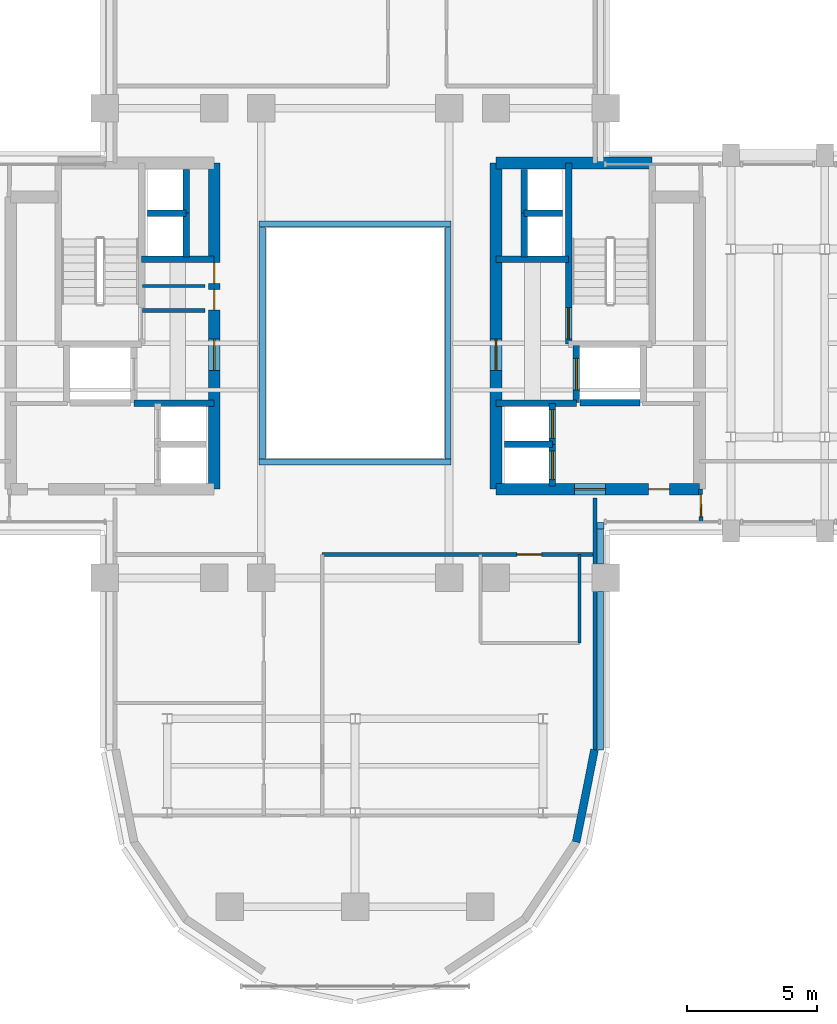
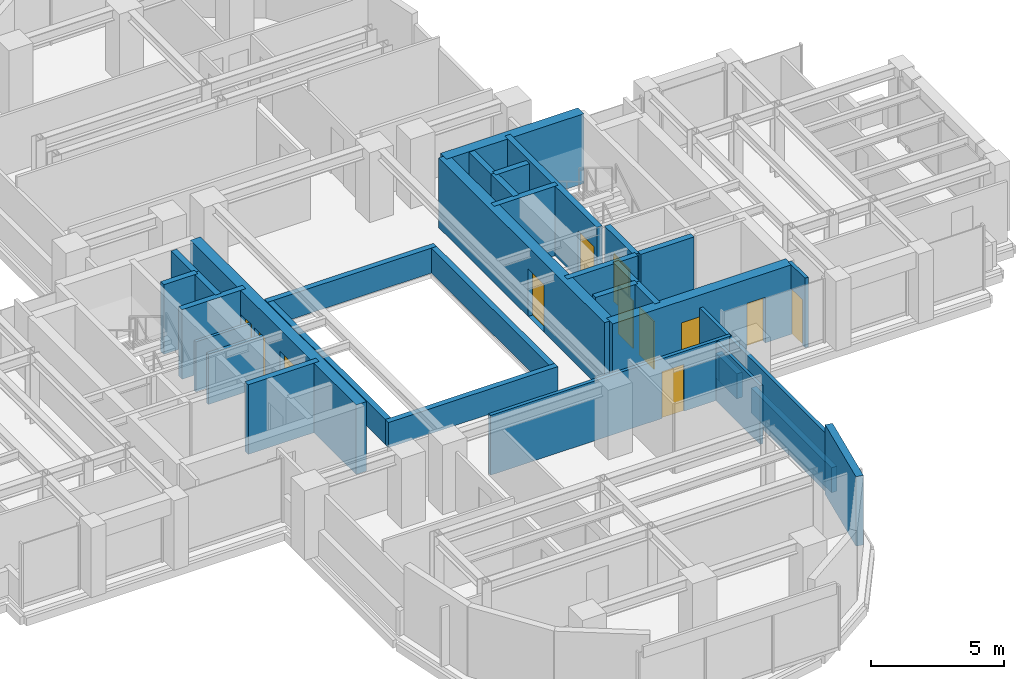
# One storey, part 9 of 14: 34 walls, 12 doors, 12 openings.
"""IFC4 building model written with IfcOpenShell, lengths in metres."""

from ifc_helpers import new_model, si_unit, direction, frame, frame_2d, origin, place, context, subcontext, project, spatial, rectangle, extrude, source, transform, mapped, material, layer, layer_set, type_object, element, fill, save


model = new_model("IFC4")

# Units and contexts
model_context = context("Model", 3, precision=1e-05, world=origin(), true_north=direction((0.0, 1.0)))
body_context = subcontext(model_context, "Body", "Model", "MODEL_VIEW")
ifc_project = project(units=[si_unit("LENGTHUNIT", "METRE"), si_unit("AREAUNIT", "SQUARE_METRE"), si_unit("VOLUMEUNIT", "CUBIC_METRE"), si_unit("PLANEANGLEUNIT", "RADIAN"), si_unit("MASSUNIT", "GRAM", prefix="KILO")], contexts=[model_context])

# Site, building, storey
site_placement = place(None, origin())
site = spatial("IfcSite", under=ifc_project, at=site_placement, CompositionType="ELEMENT")
building_placement = place(site_placement, origin())
building = spatial("IfcBuilding", under=site, at=building_placement, Name="Keilestroom Media Tower", CompositionType="ELEMENT")
storey_placement = place(building_placement, frame((0.0, 0.0, 114.199951171875)))
storey = spatial("IfcBuildingStorey", under=building, at=storey_placement, Name="L30", CompositionType="ELEMENT", Elevation=114.199951171875)

# Walls
ifc_material_1 = material(Name="Precast concrete C40/50", Category="concrete")
ifc_layer_1 = layer(ifc_material_1, 0.300048828125)
ifc_layer_set_1 = layer_set([ifc_layer_1], Name="Precast concrete C40/50")
wall_type_1 = type_object("IfcWallType", Name="Exterior-Masonry-Spandrel-Wall-300", PredefinedType="SOLIDWALL", material=ifc_layer_set_1)
wall_1_placement = place(storey_placement, frame((8.470703125, -19.12451171875, 0.0), z_axis=(0.0, 0.0, 1.0), x_axis=(0.195114232679, 0.980780523974, 0.0)))
element("IfcWall", 1, at=wall_1_placement, inside=storey, type_object=wall_type_1, Name="L30 Lobe Facet Precast Frame Wall 12", PredefinedType="SOLIDWALL", context=body_context, shape_type="SweptSolid", body=[
    extrude(rectangle(XDim=3.608642578125, YDim=0.300048828125, at=frame_2d((1.80419921875, 0.0))), origin(), (0.0, 0.0, 1.0), 3.199951171875),
])
ifc_material_2 = material(Name="Gypsum Plasterboard & Steel Stud", Category="steel")
ifc_layer_2 = layer(ifc_material_2, 0.1201171875)
ifc_layer_set_2 = layer_set([ifc_layer_2], Name="Gypsum Plasterboard & Steel Stud")
wall_type_2 = type_object("IfcWallType", Name="Interior-Partition-Wall-120", PredefinedType="PARTITIONING", material=ifc_layer_set_2)
wall_2_placement = place(storey_placement, frame((-8.139892578125, 2.179931640625, 0.0), z_axis=(0.0, 0.0, 1.0), x_axis=(1.0, 0.0, 0.0)))
element("IfcWall", 2, at=wall_2_placement, inside=storey, type_object=wall_type_2, Name="L30 Interior Wall WP-L30-CNW-N", PredefinedType="PARTITIONING", context=body_context, shape_type="SweptSolid", body=[
    extrude(rectangle(XDim=2.389892578125, YDim=0.1201171875, at=frame_2d((1.19482421875, 0.0))), origin(), (0.0, 0.0, 1.0), 2.300048828125),
])
wall_3_placement = place(storey_placement, frame((8.60009765625, -11.5, 0.0), z_axis=(0.0, 0.0, 1.0), x_axis=(0.0, 1.0, 0.0)))
element("IfcWall", 3, at=wall_3_placement, inside=storey, type_object=wall_type_2, Name="L30 Interior Wall WP-L30-SL-WC-E", PredefinedType="PARTITIONING", context=body_context, shape_type="SweptSolid", body=[
    extrude(rectangle(XDim=3.39990234375, YDim=0.1201171875, at=frame_2d((1.699951171875, 0.0))), origin(), (0.0, 0.0, 1.0), 2.699951171875),
])
ifc_layer_3 = layer(ifc_material_2, 0.14990234375)
ifc_layer_set_3 = layer_set([ifc_layer_3], Name="Gypsum Plasterboard & Steel Stud")
wall_type_3 = type_object("IfcWallType", Name="Interior-Partition-Wall-150", PredefinedType="PARTITIONING", material=ifc_layer_set_3)
wall_4_placement = place(storey_placement, frame((-8.139892578125, 1.239990234375, 0.0), z_axis=(0.0, 0.0, 1.0), x_axis=(1.0, 0.0, 0.0)))
element("IfcWall", 4, at=wall_4_placement, inside=storey, type_object=wall_type_3, Name="L30 Interior Wall WP-L30-FFW-TOP", PredefinedType="PARTITIONING", context=body_context, shape_type="SweptSolid", body=[
    extrude(rectangle(XDim=2.389892578125, YDim=0.14990234375, at=frame_2d((1.19482421875, 0.0))), origin(), (0.0, 0.0, 1.0), 2.300048828125),
])
wall_5_placement = place(storey_placement, frame((9.199951171875, -15.679931640625, 0.0), z_axis=(0.0, 0.0, 1.0), x_axis=(0.0, 1.0, 0.0)))
element("IfcWall", 5, at=wall_5_placement, inside=storey, type_object=wall_type_3, Name="L30 Interior Wall WP-L30-SL-CHKE", PredefinedType="PARTITIONING", context=body_context, shape_type="SweptSolid", body=[
    extrude(rectangle(XDim=9.739990234375, YDim=0.14990234375, at=frame_2d((4.8701171875, 0.0))), origin(), (0.0, 0.0, 1.0), 2.699951171875),
])

# Wall, opening, door
wall_6_placement = place(storey_placement, frame((-1.260009765625, -8.10009765625, 0.0), z_axis=(0.0, 0.0, 1.0), x_axis=(1.0, 0.0, 0.0)))
wall_6 = element("IfcWall", 6, at=wall_6_placement, inside=storey, type_object=wall_type_3, Name="L30 Interior Wall WP-L30-SL-BASE-E", PredefinedType="PARTITIONING", context=body_context, shape_type="SweptSolid", body=[
    extrude(rectangle(XDim=10.4599609375, YDim=0.14990234375, at=frame_2d((5.22998046875, 0.0))), origin(), (0.0, 0.0, 1.0), 2.75),
])
opening_1_placement = place(wall_6_placement, frame((7.4599609375, 0.0, 0.0)))
opening_1 = element("IfcOpeningElement", 7, at=opening_1_placement, cuts=wall_6, Name="Opening DI-03", PredefinedType="OPENING", context=body_context, shape_type="SweptSolid", body=[
    extrude(rectangle(XDim=0.949951171875, YDim=2.14990234375, at=frame_2d((0.47509765625, 1.074951171875))), frame((0.0, 0.0849609375, 0.0), z_axis=(0.0, -1.0, 0.0), x_axis=(1.0, 0.0, 0.0)), (0.0, 0.0, 1.0), 0.169921875),
])
ifc_material_3 = material(Name="Lacquered European Oak Leaf", Category="wood")
door_type_1 = type_object("IfcDoorType", Name="Interior-Room-And-Suite-Door-DI-03", OperationType="NOTDEFINED", PredefinedType="DOOR", material=ifc_material_3)
shared_shape_1 = source(origin(), body_context, "Body", "SweptSolid", [
    extrude(rectangle(XDim=0.949951171875, YDim=2.14990234375, at=frame_2d((0.47509765625, 1.074951171875))), frame((0.0, 0.02490234375, 0.0), z_axis=(0.0, -1.0, 0.0), x_axis=(1.0, 0.0, 0.0)), (0.0, 0.0, 1.0), 0.050048828125),
])
door_1_placement = place(opening_1_placement, origin())
door_1 = element("IfcDoor", 8, at=door_1_placement, inside=storey, type_object=door_type_1, Name="L30 Interior Door DI-L30-DSL-WC", OperationType="SINGLE_SWING_RIGHT", OverallHeight=2.14990234375, OverallWidth=0.949951171875, PredefinedType="DOOR", context=body_context, shape_type="MappedRepresentation", body=[
    mapped(shared_shape_1, transform((0.0, 0.0, 0.0), x_axis=(1.0, 0.0, 0.0), y_axis=(0.0, 1.0, 0.0), z_axis=(0.0, 0.0, 1.0), scale=1.0)),
])
fill(opening_1, door_1)

wall_7_placement = place(storey_placement, frame((13.260009765625, -6.85009765625, 0.0), z_axis=(0.0, 0.0, 1.0), x_axis=(-0.016013571389, 0.999871774545, 0.0)))
wall_7 = element("IfcWall", 9, at=wall_7_placement, inside=storey, type_object=wall_type_3, Name="L30 Interior Wall WP-L30-EA-ENTS", PredefinedType="PARTITIONING", context=body_context, shape_type="SweptSolid", body=[
    extrude(rectangle(XDim=1.250244140625, YDim=0.14990234375, at=frame_2d((0.625, 0.0))), origin(), (0.0, 0.0, 1.0), 3.199951171875),
])
opening_2_placement = place(wall_7_placement, frame((0.199951171875, 0.0, 0.0)))
opening_2 = element("IfcOpeningElement", 10, at=opening_2_placement, cuts=wall_7, Name="Opening DI-05", PredefinedType="OPENING", context=body_context, shape_type="SweptSolid", body=[
    extrude(rectangle(XDim=0.85009765625, YDim=2.10009765625, at=frame_2d((0.425048828125, 1.050048828125))), frame((0.0, 0.0849609375, 0.0), z_axis=(0.0, -1.0, 0.0), x_axis=(1.0, 0.0, 0.0)), (0.0, 0.0, 1.0), 0.169921875),
])
ifc_material_4 = material(Name="Moisture-Resistant Oak Leaf", Category="wood")
door_type_2 = type_object("IfcDoorType", Name="Interior-En-Suite-And-Cupboard-Door-DI-05", OperationType="NOTDEFINED", PredefinedType="DOOR", material=ifc_material_4)
shared_shape_2 = source(origin(), body_context, "Body", "SweptSolid", [
    extrude(rectangle(XDim=0.85009765625, YDim=2.10009765625, at=frame_2d((0.425048828125, 1.050048828125))), frame((0.0, 0.02490234375, 0.0), z_axis=(0.0, -1.0, 0.0), x_axis=(1.0, 0.0, 0.0)), (0.0, 0.0, 1.0), 0.050048828125),
])
door_2_placement = place(opening_2_placement, origin())
door_2 = element("IfcDoor", 11, at=door_2_placement, inside=storey, type_object=door_type_2, Name="L30 Interior Door DI-L30-DEA-ENTS", OperationType="SINGLE_SWING_RIGHT", OverallHeight=2.10009765625, OverallWidth=0.85009765625, PredefinedType="DOOR", context=body_context, shape_type="MappedRepresentation", body=[
    mapped(shared_shape_2, transform((0.0, 0.0, 0.0), x_axis=(1.0, 0.0, 0.0), y_axis=(0.0, 1.0, 0.0), z_axis=(0.0, 0.0, 1.0), scale=1.0)),
])
fill(opening_2, door_2)

# Wall, openings, doors
ifc_material_5 = material(Name="Concrete C55/67", Category="concrete")
ifc_layer_4 = layer(ifc_material_5, 0.449951171875)
ifc_layer_set_4 = layer_set([ifc_layer_4], Name="Concrete C55/67")
wall_type_4 = type_object("IfcWallType", Name="Reinforced-Concrete-Core-Shear-Wall-450", PredefinedType="SHEAR", material=ifc_layer_set_4)
wall_8_placement = place(storey_placement, frame((-5.39990234375, -5.60009765625, 0.0), z_axis=(0.0, 0.0, 1.0), x_axis=(0.0, 1.0, 0.0)))
wall_8 = element("IfcWall", 12, at=wall_8_placement, inside=storey, type_object=wall_type_4, Name="L30 Core Shear Wall WL-L30-CORE-W-IN", PredefinedType="SHEAR", context=body_context, shape_type="SweptSolid", body=[
    extrude(rectangle(XDim=12.5, YDim=0.449951171875, at=frame_2d((6.25, 0.0))), origin(), (0.0, 0.0, 1.0), 3.199951171875),
])
opening_3_placement = place(wall_8_placement, frame((4.550048828125, 0.0, 0.0)))
opening_3 = element("IfcOpeningElement", 13, at=opening_3_placement, cuts=wall_8, Name="Opening DI-02", PredefinedType="OPENING", context=body_context, shape_type="SweptSolid", body=[
    extrude(rectangle(XDim=1.199951171875, YDim=2.199951171875, at=frame_2d((0.60009765625, 1.10009765625))), frame((0.0, 0.23486328125, 0.0), z_axis=(0.0, -1.0, 0.0), x_axis=(1.0, 0.0, 0.0)), (0.0, 0.0, 1.0), 0.469970703125),
])
opening_4_placement = place(wall_8_placement, frame((6.860107421875, 0.0, 0.0)))
opening_4 = element("IfcOpeningElement", 14, at=opening_4_placement, cuts=wall_8, Name="Opening DI-06", PredefinedType="OPENING", context=body_context, shape_type="SweptSolid", body=[
    extrude(rectangle(XDim=0.800048828125, YDim=2.10009765625, at=frame_2d((0.39990234375, 1.050048828125))), frame((0.0, 0.23486328125, 0.0), z_axis=(0.0, -1.0, 0.0), x_axis=(1.0, 0.0, 0.0)), (0.0, 0.0, 1.0), 0.469970703125),
])
opening_5_placement = place(wall_8_placement, frame((7.8798828125, 0.0, 0.0)))
opening_5 = element("IfcOpeningElement", 15, at=opening_5_placement, cuts=wall_8, Name="Opening DI-06", PredefinedType="OPENING", context=body_context, shape_type="SweptSolid", body=[
    extrude(rectangle(XDim=0.800048828125, YDim=2.10009765625, at=frame_2d((0.39990234375, 1.050048828125))), frame((0.0, 0.23486328125, 0.0), z_axis=(0.0, -1.0, 0.0), x_axis=(1.0, 0.0, 0.0)), (0.0, 0.0, 1.0), 0.469970703125),
])
ifc_material_6 = material(Name="Powder-Coated Steel Fire Leaf", Category="steel")
door_type_3 = type_object("IfcDoorType", Name="Interior-Compartment-Fire-Door-DI-02", OperationType="NOTDEFINED", PredefinedType="DOOR", material=ifc_material_6)
shared_shape_3 = source(origin(), body_context, "Body", "SweptSolid", [
    extrude(rectangle(XDim=1.199951171875, YDim=2.199951171875, at=frame_2d((0.60009765625, 1.10009765625))), frame((0.0, 0.02490234375, 0.0), z_axis=(0.0, -1.0, 0.0), x_axis=(1.0, 0.0, 0.0)), (0.0, 0.0, 1.0), 0.050048828125),
])
door_3_placement = place(opening_3_placement, origin())
door_3 = element("IfcDoor", 16, at=door_3_placement, inside=storey, type_object=door_type_3, Name="L30 W Firefighting Lobby Door", OperationType="SINGLE_SWING_RIGHT", OverallHeight=2.199951171875, OverallWidth=1.199951171875, PredefinedType="DOOR", context=body_context, shape_type="MappedRepresentation", body=[
    mapped(shared_shape_3, transform((0.0, 0.0, 0.0), x_axis=(1.0, 0.0, 0.0), y_axis=(0.0, 1.0, 0.0), z_axis=(0.0, 0.0, 1.0), scale=1.0)),
])
fill(opening_3, door_3)
ifc_material_7 = material(Name="Powder-Coated Steel Service Leaf", Category="steel")
door_type_4 = type_object("IfcDoorType", Name="Interior-Riser-Access-Door-DI-06", OperationType="NOTDEFINED", PredefinedType="DOOR", material=ifc_material_7)
shared_shape_4 = source(origin(), body_context, "Body", "SweptSolid", [
    extrude(rectangle(XDim=0.800048828125, YDim=2.10009765625, at=frame_2d((0.39990234375, 1.050048828125))), frame((0.0, 0.02490234375, 0.0), z_axis=(0.0, -1.0, 0.0), x_axis=(1.0, 0.0, 0.0)), (0.0, 0.0, 1.0), 0.050048828125),
])
door_4_placement = place(opening_4_placement, origin())
door_4 = element("IfcDoor", 17, at=door_4_placement, inside=storey, type_object=door_type_4, Name="L30 West Core Switchroom Door", OperationType="SINGLE_SWING_LEFT", OverallHeight=2.10009765625, OverallWidth=0.800048828125, PredefinedType="DOOR", context=body_context, shape_type="MappedRepresentation", body=[
    mapped(shared_shape_4, transform((0.0, 0.0, 0.0), x_axis=(1.0, 0.0, 0.0), y_axis=(0.0, 1.0, 0.0), z_axis=(0.0, 0.0, 1.0), scale=1.0)),
])
fill(opening_4, door_4)
door_5_placement = place(opening_5_placement, origin())
door_5 = element("IfcDoor", 18, at=door_5_placement, inside=storey, type_object=door_type_4, Name="L30 West Core Closet Door", OperationType="SINGLE_SWING_LEFT", OverallHeight=2.10009765625, OverallWidth=0.800048828125, PredefinedType="DOOR", context=body_context, shape_type="MappedRepresentation", body=[
    mapped(shared_shape_4, transform((0.0, 0.0, 0.0), x_axis=(1.0, 0.0, 0.0), y_axis=(0.0, 1.0, 0.0), z_axis=(0.0, 0.0, 1.0), scale=1.0)),
])
fill(opening_5, door_5)

# Wall, opening, door
wall_9_placement = place(storey_placement, frame((5.39990234375, -5.60009765625, 0.0), z_axis=(0.0, 0.0, 1.0), x_axis=(0.0, 1.0, 0.0)))
wall_9 = element("IfcWall", 19, at=wall_9_placement, inside=storey, type_object=wall_type_4, Name="L30 Core Shear Wall WL-L30-CORE-E-IN", PredefinedType="SHEAR", context=body_context, shape_type="SweptSolid", body=[
    extrude(rectangle(XDim=12.5, YDim=0.449951171875, at=frame_2d((6.25, 0.0))), origin(), (0.0, 0.0, 1.0), 3.199951171875),
])
opening_6_placement = place(wall_9_placement, frame((4.550048828125, 0.0, 0.0)))
opening_6 = element("IfcOpeningElement", 20, at=opening_6_placement, cuts=wall_9, Name="Opening DI-02", PredefinedType="OPENING", context=body_context, shape_type="SweptSolid", body=[
    extrude(rectangle(XDim=1.199951171875, YDim=2.199951171875, at=frame_2d((0.60009765625, 1.10009765625))), frame((0.0, 0.23486328125, 0.0), z_axis=(0.0, -1.0, 0.0), x_axis=(1.0, 0.0, 0.0)), (0.0, 0.0, 1.0), 0.469970703125),
])
door_6_placement = place(opening_6_placement, origin())
door_6 = element("IfcDoor", 21, at=door_6_placement, inside=storey, type_object=door_type_3, Name="L30 E Firefighting Lobby Door", OperationType="SINGLE_SWING_LEFT", OverallHeight=2.199951171875, OverallWidth=1.199951171875, PredefinedType="DOOR", context=body_context, shape_type="MappedRepresentation", body=[
    mapped(shared_shape_3, transform((0.0, 0.0, 0.0), x_axis=(1.0, 0.0, 0.0), y_axis=(0.0, 1.0, 0.0), z_axis=(0.0, 0.0, 1.0), scale=1.0)),
])
fill(opening_6, door_6)

# Wall
wall_10_placement = place(storey_placement, frame((5.39990234375, 6.89990234375, 0.0), z_axis=(0.0, 0.0, 1.0), x_axis=(1.0, 0.0, 0.0)))
element("IfcWall", 22, at=wall_10_placement, inside=storey, type_object=wall_type_4, Name="L30 Core Shear Wall WL-L30-CORE-E-N", PredefinedType="SHEAR", context=body_context, shape_type="SweptSolid", body=[
    extrude(rectangle(XDim=5.981201171875, YDim=0.449951171875, at=frame_2d((2.99072265625, 0.0))), origin(), (0.0, 0.0, 1.0), 3.199951171875),
])

# Wall, openings, doors
wall_11_placement = place(storey_placement, frame((5.39990234375, -5.60009765625, 0.0), z_axis=(0.0, 0.0, 1.0), x_axis=(1.0, 0.0, 0.0)))
wall_11 = element("IfcWall", 23, at=wall_11_placement, inside=storey, type_object=wall_type_4, Name="L30 Core Shear Wall WL-L30-CORE-E-S", PredefinedType="SHEAR", context=body_context, shape_type="SweptSolid", body=[
    extrude(rectangle(XDim=7.800048828125, YDim=0.449951171875, at=frame_2d((3.89990234375, 0.0))), origin(), (0.0, 0.0, 1.0), 3.199951171875),
])
opening_7_placement = place(wall_11_placement, frame((3.0, 0.0, 0.0)))
opening_7 = element("IfcOpeningElement", 24, at=opening_7_placement, cuts=wall_11, Name="Opening DI-02", PredefinedType="OPENING", context=body_context, shape_type="SweptSolid", body=[
    extrude(rectangle(XDim=1.199951171875, YDim=2.199951171875, at=frame_2d((0.60009765625, 1.10009765625))), frame((0.0, 0.23486328125, 0.0), z_axis=(0.0, -1.0, 0.0), x_axis=(1.0, 0.0, 0.0)), (0.0, 0.0, 1.0), 0.469970703125),
])
opening_8_placement = place(wall_11_placement, frame((5.85009765625, 0.0, 0.0)))
opening_8 = element("IfcOpeningElement", 25, at=opening_8_placement, cuts=wall_11, Name="Opening DI-06", PredefinedType="OPENING", context=body_context, shape_type="SweptSolid", body=[
    extrude(rectangle(XDim=0.800048828125, YDim=2.10009765625, at=frame_2d((0.39990234375, 1.050048828125))), frame((0.0, 0.23486328125, 0.0), z_axis=(0.0, -1.0, 0.0), x_axis=(1.0, 0.0, 0.0)), (0.0, 0.0, 1.0), 0.469970703125),
])
door_7_placement = place(opening_7_placement, origin())
door_7 = element("IfcDoor", 26, at=door_7_placement, inside=storey, type_object=door_type_3, Name="L30 E Passenger Lift Lobby Door", OperationType="SINGLE_SWING_RIGHT", OverallHeight=2.199951171875, OverallWidth=1.199951171875, PredefinedType="DOOR", context=body_context, shape_type="MappedRepresentation", body=[
    mapped(shared_shape_3, transform((0.0, 0.0, 0.0), x_axis=(1.0, 0.0, 0.0), y_axis=(0.0, 1.0, 0.0), z_axis=(0.0, 0.0, 1.0), scale=1.0)),
])
fill(opening_7, door_7)
door_8_placement = place(opening_8_placement, origin())
door_8 = element("IfcDoor", 27, at=door_8_placement, inside=storey, type_object=door_type_4, Name="L30 Reclaimed East Core Room Door", OperationType="SINGLE_SWING_RIGHT", OverallHeight=2.10009765625, OverallWidth=0.800048828125, PredefinedType="DOOR", context=body_context, shape_type="MappedRepresentation", body=[
    mapped(shared_shape_4, transform((0.0, 0.0, 0.0), x_axis=(1.0, 0.0, 0.0), y_axis=(0.0, 1.0, 0.0), z_axis=(0.0, 0.0, 1.0), scale=1.0)),
])
fill(opening_8, door_8)

# Walls
ifc_material_8 = material(Name="Concrete C50/60", Category="concrete")
ifc_layer_5 = layer(ifc_material_8, 0.25)
ifc_layer_set_5 = layer_set([ifc_layer_5], Name="Concrete C50/60")
wall_type_5 = type_object("IfcWallType", Name="Reinforced-Concrete-Shaft-Wall-250", PredefinedType="SOLIDWALL", material=ifc_layer_set_5)
wall_12_placement = place(storey_placement, frame((-8.179931640625, 3.219970703125, 0.0), z_axis=(0.0, 0.0, 1.0), x_axis=(1.0, 0.0, 0.0)))
element("IfcWall", 28, at=wall_12_placement, inside=storey, type_object=wall_type_5, Name="L30 Core Shear Wall WL-L30-CORE-W-FFN", PredefinedType="SOLIDWALL", context=body_context, shape_type="SweptSolid", body=[
    extrude(rectangle(XDim=2.780029296875, YDim=0.25, at=frame_2d((1.39013671875, 0.0))), origin(), (0.0, 0.0, 1.0), 3.199951171875),
])
wall_13_placement = place(storey_placement, frame((-8.47998046875, -2.300048828125, 0.0), z_axis=(0.0, 0.0, 1.0), x_axis=(1.0, 0.0, 0.0)))
element("IfcWall", 29, at=wall_13_placement, inside=storey, type_object=wall_type_5, Name="L30 Core Shear Wall WL-L30-CORE-W-FFS", PredefinedType="SOLIDWALL", context=body_context, shape_type="SweptSolid", body=[
    extrude(rectangle(XDim=3.080078125, YDim=0.25, at=frame_2d((1.5400390625, 0.0))), origin(), (0.0, 0.0, 1.0), 3.199951171875),
])
wall_14_placement = place(storey_placement, frame((5.39990234375, 3.219970703125, 0.0), z_axis=(0.0, 0.0, 1.0), x_axis=(1.0, 0.0, 0.0)))
element("IfcWall", 30, at=wall_14_placement, inside=storey, type_object=wall_type_5, Name="L30 Core Shear Wall WL-L30-CORE-E-FFN", PredefinedType="SOLIDWALL", context=body_context, shape_type="SweptSolid", body=[
    extrude(rectangle(XDim=2.780029296875, YDim=0.25, at=frame_2d((1.39013671875, 0.0))), origin(), (0.0, 0.0, 1.0), 3.199951171875),
])
wall_15_placement = place(storey_placement, frame((5.39990234375, -2.300048828125, 0.0), z_axis=(0.0, 0.0, 1.0), x_axis=(1.0, 0.0, 0.0)))
element("IfcWall", 31, at=wall_15_placement, inside=storey, type_object=wall_type_5, Name="L30 Core Shear Wall WL-L30-CORE-E-FFS", PredefinedType="SOLIDWALL", context=body_context, shape_type="SweptSolid", body=[
    extrude(rectangle(XDim=3.080078125, YDim=0.25, at=frame_2d((1.5400390625, 0.0))), origin(), (0.0, 0.0, 1.0), 3.199951171875),
])

# Wall, opening, door
wall_16_placement = place(storey_placement, frame((8.178955078125, -0.041015625, 0.0), z_axis=(0.0, 0.0, 1.0), x_axis=(0.0, 1.0, 0.0)))
wall_16 = element("IfcWall", 32, at=wall_16_placement, inside=storey, type_object=wall_type_5, Name="L30 Core Shear Wall WL-L30-STW-E-NEAR", PredefinedType="SOLIDWALL", context=body_context, shape_type="SweptSolid", body=[
    extrude(rectangle(XDim=6.94091796875, YDim=0.25, at=frame_2d((3.470458984375, 0.0))), origin(), (0.0, 0.0, 1.0), 3.199951171875),
])
opening_9_placement = place(wall_16_placement, frame((0.199951171875, 0.0, 0.0)))
opening_9 = element("IfcOpeningElement", 33, at=opening_9_placement, cuts=wall_16, Name="Opening DI-01S", PredefinedType="OPENING", context=body_context, shape_type="SweptSolid", body=[
    extrude(rectangle(XDim=1.199951171875, YDim=2.199951171875, at=frame_2d((0.60009765625, 1.10009765625))), frame((0.0, 0.135009765625, 0.0), z_axis=(0.0, -1.0, 0.0), x_axis=(1.0, 0.0, 0.0)), (0.0, 0.0, 1.0), 0.27001953125),
])
door_type_5 = type_object("IfcDoorType", Name="Interior-Stair-And-Core-Fire-Door-DI-01", OperationType="NOTDEFINED", PredefinedType="DOOR", material=ifc_material_6)
door_9_placement = place(opening_9_placement, origin())
door_9 = element("IfcDoor", 34, at=door_9_placement, inside=storey, type_object=door_type_5, Name="L30 Escape Stair ST-2 Fire Door", OperationType="SINGLE_SWING_RIGHT", OverallHeight=2.199951171875, OverallWidth=1.199951171875, PredefinedType="DOOR", context=body_context, shape_type="MappedRepresentation", body=[
    mapped(shared_shape_3, transform((0.0, 0.0, 0.0), x_axis=(1.0, 0.0, 0.0), y_axis=(0.0, 1.0, 0.0), z_axis=(0.0, 0.0, 1.0), scale=1.0)),
])
fill(opening_9, door_9)

wall_17_placement = place(storey_placement, frame((8.47998046875, -2.280029296875, 0.0), z_axis=(0.0, 0.0, 1.0), x_axis=(0.0, 1.0, 0.0)))
wall_17 = element("IfcWall", 35, at=wall_17_placement, inside=storey, type_object=wall_type_5, Name="L30 Core Shear Wall WL-L30-LSH-FFL-2-W", PredefinedType="SOLIDWALL", context=body_context, shape_type="SweptSolid", body=[
    extrude(rectangle(XDim=2.179931640625, YDim=0.25, at=frame_2d((1.08984375, 0.0))), origin(), (0.0, 0.0, 1.0), 3.199951171875),
])
opening_10_placement = place(wall_17_placement, frame((0.489990234375, 0.0, 0.0)))
opening_10 = element("IfcOpeningElement", 36, at=opening_10_placement, cuts=wall_17, Name="Opening LD-02", PredefinedType="OPENING", context=body_context, shape_type="SweptSolid", body=[
    extrude(rectangle(XDim=1.199951171875, YDim=2.199951171875, at=frame_2d((0.60009765625, 1.10009765625))), frame((0.0, 0.135009765625, 0.0), z_axis=(0.0, -1.0, 0.0), x_axis=(1.0, 0.0, 0.0)), (0.0, 0.0, 1.0), 0.27001953125),
])
ifc_material_9 = material(Name="Brushed Stainless Steel Sliding Leaf", Category="steel")
door_type_6 = type_object("IfcDoorType", Name="Lift-Landing-Sliding-Door-LD-02", OperationType="SLIDING_TO_RIGHT", PredefinedType="DOOR", material=ifc_material_9)
door_10_placement = place(opening_10_placement, origin())
door_10 = element("IfcDoor", 37, at=door_10_placement, inside=storey, type_object=door_type_6, Name="L30 Lift FFL-2 Landing Sliding Door", OperationType="SLIDING_TO_RIGHT", OverallHeight=2.199951171875, OverallWidth=1.199951171875, PredefinedType="DOOR", context=body_context, shape_type="MappedRepresentation", body=[
    mapped(shared_shape_3, transform((0.0, 0.0, 0.0), x_axis=(1.0, 0.0, 0.0), y_axis=(0.0, 1.0, 0.0), z_axis=(0.0, 0.0, 1.0), scale=1.0)),
])
fill(opening_10, door_10)

# Wall
wall_18_placement = place(storey_placement, frame((8.60888671875, -2.280029296875, 0.0), z_axis=(0.0, 0.0, 1.0), x_axis=(1.0, 0.0, 0.0)))
element("IfcWall", 38, at=wall_18_placement, inside=storey, type_object=wall_type_5, Name="L30 Core Shear Wall WL-L30-LSH-FFL-2-S", PredefinedType="SOLIDWALL", context=body_context, shape_type="SweptSolid", body=[
    extrude(rectangle(XDim=2.31201171875, YDim=0.25, at=frame_2d((1.156005859375, 0.0))), origin(), (0.0, 0.0, 1.0), 3.199951171875),
])

# Wall, opening, door
wall_19_placement = place(storey_placement, frame((7.56005859375, -5.47998046875, 0.0), z_axis=(0.0, 0.0, 1.0), x_axis=(0.0, 1.0, 0.0)))
wall_19 = element("IfcWall", 39, at=wall_19_placement, inside=storey, type_object=wall_type_5, Name="L30 Core Shear Wall WL-L30-LSH-PL-M3-E", PredefinedType="SOLIDWALL", context=body_context, shape_type="SweptSolid", body=[
    extrude(rectangle(XDim=1.60009765625, YDim=0.25, at=frame_2d((0.800048828125, 0.0))), origin(), (0.0, 0.0, 1.0), 3.199951171875),
])
opening_11_placement = place(wall_19_placement, frame((0.25, 0.0, 0.0)))
opening_11 = element("IfcOpeningElement", 40, at=opening_11_placement, cuts=wall_19, Name="Opening LD-01", PredefinedType="OPENING", context=body_context, shape_type="SweptSolid", body=[
    extrude(rectangle(XDim=1.10009765625, YDim=2.199951171875, at=frame_2d((0.550048828125, 1.10009765625))), frame((0.0, 0.135009765625, 0.0), z_axis=(0.0, -1.0, 0.0), x_axis=(1.0, 0.0, 0.0)), (0.0, 0.0, 1.0), 0.27001953125),
])
door_type_7 = type_object("IfcDoorType", Name="Lift-Landing-Sliding-Door-LD-01", OperationType="SLIDING_TO_LEFT", PredefinedType="DOOR", material=ifc_material_9)
shared_shape_5 = source(origin(), body_context, "Body", "SweptSolid", [
    extrude(rectangle(XDim=1.10009765625, YDim=2.199951171875, at=frame_2d((0.550048828125, 1.10009765625))), frame((0.0, 0.02490234375, 0.0), z_axis=(0.0, -1.0, 0.0), x_axis=(1.0, 0.0, 0.0)), (0.0, 0.0, 1.0), 0.050048828125),
])
door_11_placement = place(opening_11_placement, origin())
door_11 = element("IfcDoor", 41, at=door_11_placement, inside=storey, type_object=door_type_7, Name="L30 Lift PL-M3 Landing Sliding Door", OperationType="SLIDING_TO_LEFT", OverallHeight=2.199951171875, OverallWidth=1.10009765625, PredefinedType="DOOR", context=body_context, shape_type="MappedRepresentation", body=[
    mapped(shared_shape_5, transform((0.0, 0.0, 0.0), x_axis=(1.0, 0.0, 0.0), y_axis=(0.0, 1.0, 0.0), z_axis=(0.0, 0.0, 1.0), scale=1.0)),
])
fill(opening_11, door_11)

# Wall
wall_20_placement = place(storey_placement, frame((5.719970703125, -3.8798828125, 0.0), z_axis=(0.0, 0.0, 1.0), x_axis=(1.0, 0.0, 0.0)))
element("IfcWall", 42, at=wall_20_placement, inside=storey, type_object=wall_type_5, Name="L30 Core Shear Wall WL-L30-LSH-PL-M3-N", PredefinedType="SOLIDWALL", context=body_context, shape_type="SweptSolid", body=[
    extrude(rectangle(XDim=1.840087890625, YDim=0.25, at=frame_2d((0.919921875, 0.0))), origin(), (0.0, 0.0, 1.0), 3.199951171875),
])

# Wall, opening, door
wall_21_placement = place(storey_placement, frame((7.56005859375, -3.8798828125, 0.0), z_axis=(0.0, 0.0, 1.0), x_axis=(0.0, 1.0, 0.0)))
wall_21 = element("IfcWall", 43, at=wall_21_placement, inside=storey, type_object=wall_type_5, Name="L30 Core Shear Wall WL-L30-LSH-PL-M4-E", PredefinedType="SOLIDWALL", context=body_context, shape_type="SweptSolid", body=[
    extrude(rectangle(XDim=1.559814453125, YDim=0.25, at=frame_2d((0.77978515625, 0.0))), origin(), (0.0, 0.0, 1.0), 3.199951171875),
])
opening_12_placement = place(wall_21_placement, frame((0.22998046875, 0.0, 0.0)))
opening_12 = element("IfcOpeningElement", 44, at=opening_12_placement, cuts=wall_21, Name="Opening LD-01", PredefinedType="OPENING", context=body_context, shape_type="SweptSolid", body=[
    extrude(rectangle(XDim=1.10009765625, YDim=2.199951171875, at=frame_2d((0.550048828125, 1.10009765625))), frame((0.0, 0.135009765625, 0.0), z_axis=(0.0, -1.0, 0.0), x_axis=(1.0, 0.0, 0.0)), (0.0, 0.0, 1.0), 0.27001953125),
])
door_12_placement = place(opening_12_placement, origin())
door_12 = element("IfcDoor", 45, at=door_12_placement, inside=storey, type_object=door_type_7, Name="L30 Lift PL-M4 Landing Sliding Door", OperationType="SLIDING_TO_LEFT", OverallHeight=2.199951171875, OverallWidth=1.10009765625, PredefinedType="DOOR", context=body_context, shape_type="MappedRepresentation", body=[
    mapped(shared_shape_5, transform((0.0, 0.0, 0.0), x_axis=(1.0, 0.0, 0.0), y_axis=(0.0, 1.0, 0.0), z_axis=(0.0, 0.0, 1.0), scale=1.0)),
])
fill(opening_12, door_12)

# Walls
wall_22_placement = place(storey_placement, frame((-6.47998046875, 3.300048828125, 0.0), z_axis=(0.0, 0.0, 1.0), x_axis=(0.0, 1.0, 0.0)))
element("IfcWall", 46, at=wall_22_placement, inside=storey, type_object=wall_type_5, Name="L30 Core Shear Wall WL-L30-LSH-PL-H1-E", PredefinedType="SOLIDWALL", context=body_context, shape_type="SweptSolid", body=[
    extrude(rectangle(XDim=1.679931640625, YDim=0.25, at=frame_2d((0.83984375, 0.0))), origin(), (0.0, 0.0, 1.0), 3.199951171875),
])
wall_23_placement = place(storey_placement, frame((-7.949951171875, 4.97998046875, 0.0), z_axis=(0.0, 0.0, 1.0), x_axis=(1.0, 0.0, 0.0)))
element("IfcWall", 47, at=wall_23_placement, inside=storey, type_object=wall_type_5, Name="L30 Core Shear Wall WL-L30-LSH-PL-H1-N", PredefinedType="SOLIDWALL", context=body_context, shape_type="SweptSolid", body=[
    extrude(rectangle(XDim=1.469970703125, YDim=0.25, at=frame_2d((0.73486328125, 0.0))), origin(), (0.0, 0.0, 1.0), 3.199951171875),
])
wall_24_placement = place(storey_placement, frame((-6.47998046875, 4.97998046875, 0.0), z_axis=(0.0, 0.0, 1.0), x_axis=(0.0, 1.0, 0.0)))
element("IfcWall", 48, at=wall_24_placement, inside=storey, type_object=wall_type_5, Name="L30 Core Shear Wall WL-L30-LSH-PL-H2-E", PredefinedType="SOLIDWALL", context=body_context, shape_type="SweptSolid", body=[
    extrude(rectangle(XDim=1.669921875, YDim=0.25, at=frame_2d((0.8349609375, 0.0))), origin(), (0.0, 0.0, 1.0), 3.199951171875),
])
wall_25_placement = place(storey_placement, frame((6.47998046875, 3.300048828125, 0.0), z_axis=(0.0, 0.0, 1.0), x_axis=(0.0, 1.0, 0.0)))
element("IfcWall", 49, at=wall_25_placement, inside=storey, type_object=wall_type_5, Name="L30 Core Shear Wall WL-L30-LSH-PL-H3-W", PredefinedType="SOLIDWALL", context=body_context, shape_type="SweptSolid", body=[
    extrude(rectangle(XDim=1.679931640625, YDim=0.25, at=frame_2d((0.83984375, 0.0))), origin(), (0.0, 0.0, 1.0), 3.199951171875),
])
wall_26_placement = place(storey_placement, frame((6.47998046875, 4.97998046875, 0.0), z_axis=(0.0, 0.0, 1.0), x_axis=(1.0, 0.0, 0.0)))
element("IfcWall", 50, at=wall_26_placement, inside=storey, type_object=wall_type_5, Name="L30 Core Shear Wall WL-L30-LSH-PL-H3-N", PredefinedType="SOLIDWALL", context=body_context, shape_type="SweptSolid", body=[
    extrude(rectangle(XDim=1.469970703125, YDim=0.25, at=frame_2d((0.73486328125, 0.0))), origin(), (0.0, 0.0, 1.0), 3.199951171875),
])
wall_27_placement = place(storey_placement, frame((6.47998046875, 4.97998046875, 0.0), z_axis=(0.0, 0.0, 1.0), x_axis=(0.0, 1.0, 0.0)))
element("IfcWall", 51, at=wall_27_placement, inside=storey, type_object=wall_type_5, Name="L30 Core Shear Wall WL-L30-LSH-PL-H4-W", PredefinedType="SOLIDWALL", context=body_context, shape_type="SweptSolid", body=[
    extrude(rectangle(XDim=1.669921875, YDim=0.25, at=frame_2d((0.8349609375, 0.0))), origin(), (0.0, 0.0, 1.0), 3.199951171875),
])
ifc_layer_6 = layer(ifc_material_1, 0.239990234375)
ifc_layer_set_6 = layer_set([ifc_layer_6], Name="Precast concrete C40/50")
wall_type_6 = type_object("IfcWallType", Name="Roof-And-Terrace-Parapet-Wall-240", PredefinedType="PARAPET", material=ifc_layer_set_6)
wall_28_placement = place(storey_placement, frame((9.547119140625, -7.0, 0.0), z_axis=(0.0, 0.0, 1.0), x_axis=(-1.0, 0.0, 0.0)))
element("IfcWall", 52, at=wall_28_placement, inside=storey, type_object=wall_type_6, Name="L30 Perimeter Edge Parapet Wall 04", PredefinedType="PARAPET", context=body_context, shape_type="SweptSolid", body=[
    extrude(rectangle(XDim=0.26904296875, YDim=0.239990234375, at=frame_2d((0.134521484375, 0.0))), origin(), (0.0, 0.0, 1.0), 1.150146484375),
])
wall_29_placement = place(storey_placement, frame((9.39990234375, -7.123046875, 0.0), z_axis=(0.0, 0.0, 1.0), x_axis=(0.0, -1.0, 0.0)))
element("IfcWall", 53, at=wall_29_placement, inside=storey, type_object=wall_type_6, Name="L30 Perimeter Edge Parapet Wall 05", PredefinedType="PARAPET", context=body_context, shape_type="SweptSolid", body=[
    extrude(rectangle(XDim=1.348876953125, YDim=0.239990234375, at=frame_2d((0.67431640625, 0.0))), origin(), (0.0, 0.0, 1.0), 1.150146484375),
])
wall_30_placement = place(storey_placement, frame((9.39990234375, -9.528076171875, 0.0), z_axis=(0.0, 0.0, 1.0), x_axis=(0.0, -1.0, 0.0)))
element("IfcWall", 54, at=wall_30_placement, inside=storey, type_object=wall_type_6, Name="L30 Perimeter Edge Parapet Wall 06", PredefinedType="PARAPET", context=body_context, shape_type="SweptSolid", body=[
    extrude(rectangle(XDim=6.07470703125, YDim=0.239990234375, at=frame_2d((3.037353515625, 0.0))), origin(), (0.0, 0.0, 1.0), 1.150146484375),
])
for number, where, z_axis, x_axis, name in (
    (55, (-3.679931640625, -4.56005859375, 0.0), (0.0, 0.0, 1.0), (1.0, 0.0, 0.0), "L30 Central Atrium Guard Parapet S"),
    (56, (-3.679931640625, 4.56005859375, 0.0), (0.0, 0.0, 1.0), (1.0, 0.0, 0.0), "L30 Central Atrium Guard Parapet N"),
):
    element("IfcWall", number, at=place(storey_placement, frame(where, z_axis=z_axis, x_axis=x_axis)), inside=storey, type_object=wall_type_6, Name=name, PredefinedType="PARAPET", context=body_context, shape_type="SweptSolid", body=[
        extrude(rectangle(XDim=7.35986328125, YDim=0.239990234375, at=frame_2d((3.679931640625, 0.0))), origin(), (0.0, 0.0, 1.0), 1.150146484375),
    ])
for number, where, z_axis, x_axis, name in (
    (57, (-3.56005859375, -4.43505859375, 0.0), (0.0, 0.0, 1.0), (0.0, 1.0, 0.0), "L30 Central Atrium Guard Parapet W"),
    (58, (3.56005859375, -4.43505859375, 0.0), (0.0, 0.0, 1.0), (0.0, 1.0, 0.0), "L30 Central Atrium Guard Parapet E"),
):
    element("IfcWall", number, at=place(storey_placement, frame(where, z_axis=z_axis, x_axis=x_axis)), inside=storey, type_object=wall_type_6, Name=name, PredefinedType="PARAPET", context=body_context, shape_type="SweptSolid", body=[
        extrude(rectangle(XDim=8.8701171875, YDim=0.239990234375, at=frame_2d((4.43505859375, 0.0))), origin(), (0.0, 0.0, 1.0), 1.150146484375),
    ])

save(model, "model.ifc")
